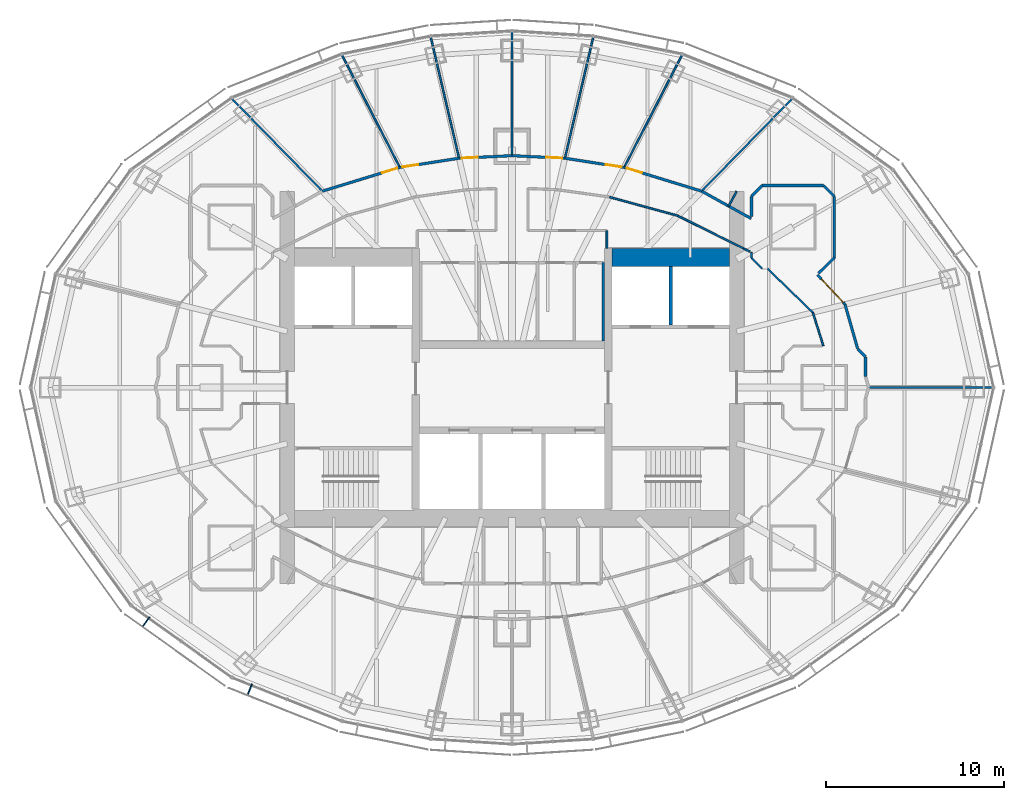
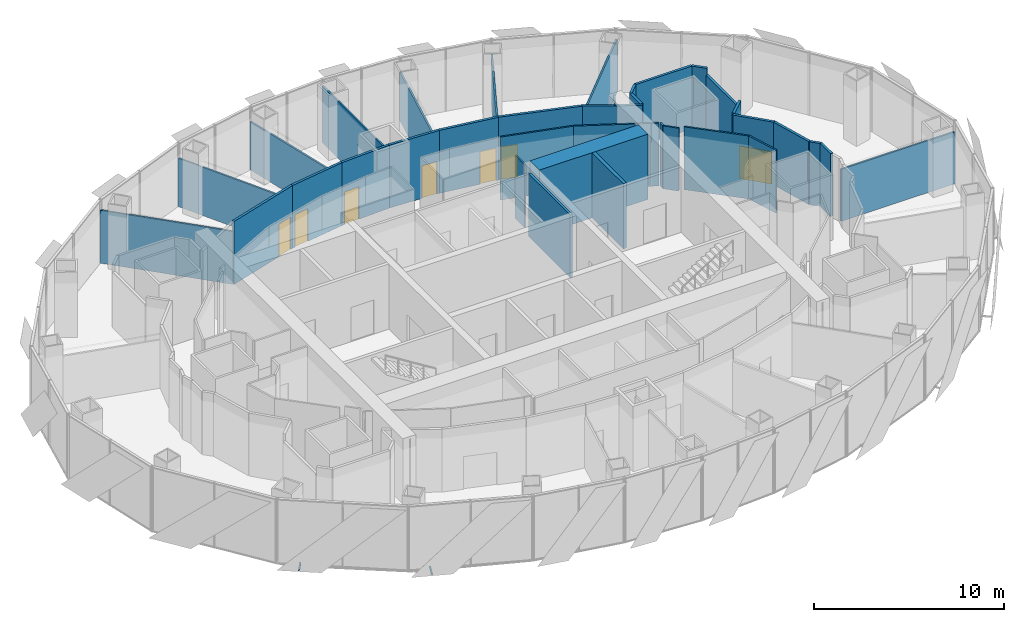
# One storey, part 15 of 19: 37 walls, 7 doors, 2 discrete accessories, 7 openings.
"""IFC4 building model written with IfcOpenShell, lengths in metres."""

from ifc_helpers import new_model, si_unit, direction, frame, frame_2d, origin, origin_2d, place, context, subcontext, project, spatial, rectangle, extrude, material, layer, layer_set, type_object, element, fill, save


model = new_model("IFC4")

# Units and contexts
model_context = context("Model", 3, precision=1e-05, world=origin(), true_north=direction((0.0, 1.0)))
body_context = subcontext(model_context, "Body", "Model", "MODEL_VIEW")
ifc_project = project(units=[si_unit("LENGTHUNIT", "METRE"), si_unit("AREAUNIT", "SQUARE_METRE"), si_unit("VOLUMEUNIT", "CUBIC_METRE"), si_unit("PLANEANGLEUNIT", "RADIAN"), si_unit("MASSUNIT", "GRAM", prefix="KILO")], contexts=[model_context])

# Site, building, storey
site_placement = place(None, origin())
site = spatial("IfcSite", under=ifc_project, at=site_placement, CompositionType="ELEMENT")
building_placement = place(site_placement, origin())
building = spatial("IfcBuilding", under=site, at=building_placement, Name="Lantaw Convention Tower", CompositionType="ELEMENT")
storey_placement = place(building_placement, frame((0.0, 0.0, 245.199951171875)))
storey = spatial("IfcBuildingStorey", under=building, at=storey_placement, Name="L57", CompositionType="ELEMENT", Elevation=245.199951171875)

# Wall
ifc_material_1 = material(Name="Concrete C60/75", Category="concrete")
ifc_layer_1 = layer(ifc_material_1, 1.0)
ifc_layer_set_1 = layer_set([ifc_layer_1], Name="Core wall 1000")
wall_type_1 = type_object("IfcWallType", Name="Core wall 1000", PredefinedType="SHEAR", material=ifc_layer_set_1)
wall_1_placement = place(storey_placement, frame((12.199951171875, 7.300048828125, 0.0), z_axis=(0.0, 0.0, 1.0), x_axis=(-1.0, 0.0, 0.0)))
element("IfcWall", 1, at=wall_1_placement, inside=storey, type_object=wall_type_1, Name="Core wall NE", PredefinedType="SHEAR", context=body_context, shape_type="SweptSolid", body=[
    extrude(rectangle(XDim=6.599853515625, YDim=1.0, at=frame_2d((3.2998046875, 0.0))), origin(), (0.0, 0.0, 1.0), 4.199951171875),
])

# Wall, opening, door
ifc_material_2 = material(Name="Gypsum board on steel studs, fire rated", Category="steel")
ifc_layer_2 = layer(ifc_material_2, 0.14990234375)
ifc_layer_set_2 = layer_set([ifc_layer_2], Name="Corridor wall 150 EI 60")
wall_type_2 = type_object("IfcWallType", Name="Corridor wall 150 EI 60", PredefinedType="PARTITIONING", material=ifc_layer_set_2)
wall_2_placement = place(storey_placement, frame((10.6328125, 11.010498046875, 0.0), z_axis=(0.0, 0.0, 1.0), x_axis=(-0.956185837153, 0.292760388079, 0.0)))
wall_2 = element("IfcWall", 2, at=wall_2_placement, inside=storey, type_object=wall_type_2, Name="Corridor wall 150", PredefinedType="PARTITIONING", context=body_context, shape_type="SweptSolid", body=[
    extrude(rectangle(XDim=4.5439453125, YDim=0.14990234375, at=frame_2d((2.27197265625, 0.0))), origin(), (0.0, 0.0, 1.0), 4.050048828125),
])
opening_1_placement = place(wall_2_placement, frame((3.493896484375, 0.0, 0.0)))
opening_1 = element("IfcOpeningElement", 3, at=opening_1_placement, cuts=wall_2, Name="Opening L57.31", PredefinedType="OPENING", context=body_context, shape_type="SweptSolid", body=[
    extrude(rectangle(XDim=0.89990234375, YDim=2.10009765625, at=frame_2d((0.449951171875, 1.050048828125))), frame((0.0, 0.0849609375, 0.0), z_axis=(0.0, -1.0, 0.0), x_axis=(1.0, 0.0, 0.0)), (0.0, 0.0, 1.0), 0.169921875),
])
ifc_material_3 = material(Name="Steel, fire rated", Category="steel")
door_type_1 = type_object("IfcDoorType", Name="Office door 900 FD30", OperationType="SINGLE_SWING_LEFT", PredefinedType="DOOR", material=ifc_material_3)
door_1_placement = place(opening_1_placement, origin())
door_1 = element("IfcDoor", 4, at=door_1_placement, inside=storey, type_object=door_type_1, Name="Private office door", OperationType="SINGLE_SWING_LEFT", OverallHeight=2.10009765625, OverallWidth=0.89990234375, PredefinedType="DOOR", context=body_context, shape_type="SweptSolid", body=[
    extrude(rectangle(XDim=0.89990234375, YDim=2.10009765625, at=frame_2d((0.449951171875, 1.050048828125))), frame((0.0, 0.02490234375, 0.0), z_axis=(0.0, -1.0, 0.0), x_axis=(1.0, 0.0, 0.0)), (0.0, 0.0, 1.0), 0.050048828125),
])
fill(opening_1, door_1)

wall_3_placement = place(storey_placement, frame((6.287841796875, 12.3408203125, 0.0), z_axis=(0.0, 0.0, 1.0), x_axis=(-0.988174283057, 0.153334882869, 0.0)))
wall_3 = element("IfcWall", 5, at=wall_3_placement, inside=storey, type_object=wall_type_2, Name="Corridor wall 150", PredefinedType="PARTITIONING", context=body_context, shape_type="SweptSolid", body=[
    extrude(rectangle(XDim=3.359619140625, YDim=0.14990234375, at=frame_2d((1.6796875, 0.0))), origin(), (0.0, 0.0, 1.0), 4.050048828125),
])
opening_2_placement = place(wall_3_placement, frame((0.14990234375, 0.0, 0.0)))
opening_2 = element("IfcOpeningElement", 6, at=opening_2_placement, cuts=wall_3, Name="Opening L57.32", PredefinedType="OPENING", context=body_context, shape_type="SweptSolid", body=[
    extrude(rectangle(XDim=0.89990234375, YDim=2.10009765625, at=frame_2d((0.449951171875, 1.050048828125))), frame((0.0, 0.0849609375, 0.0), z_axis=(0.0, -1.0, 0.0), x_axis=(1.0, 0.0, 0.0)), (0.0, 0.0, 1.0), 0.169921875),
])
door_2_placement = place(opening_2_placement, origin())
door_2 = element("IfcDoor", 7, at=door_2_placement, inside=storey, type_object=door_type_1, Name="Private office door", OperationType="SINGLE_SWING_LEFT", OverallHeight=2.10009765625, OverallWidth=0.89990234375, PredefinedType="DOOR", context=body_context, shape_type="SweptSolid", body=[
    extrude(rectangle(XDim=0.89990234375, YDim=2.10009765625, at=frame_2d((0.449951171875, 1.050048828125))), frame((0.0, 0.02490234375, 0.0), z_axis=(0.0, -1.0, 0.0), x_axis=(1.0, 0.0, 0.0)), (0.0, 0.0, 1.0), 0.050048828125),
])
fill(opening_2, door_2)

wall_4_placement = place(storey_placement, frame((2.968017578125, 12.85595703125, 0.0), z_axis=(0.0, 0.0, 1.0), x_axis=(-0.998824412818, 0.04847465687, 0.0)))
wall_4 = element("IfcWall", 8, at=wall_4_placement, inside=storey, type_object=wall_type_2, Name="Corridor wall 150", PredefinedType="PARTITIONING", context=body_context, shape_type="SweptSolid", body=[
    extrude(rectangle(XDim=2.971435546875, YDim=0.14990234375, at=frame_2d((1.48583984375, 0.0))), origin(), (0.0, 0.0, 1.0), 4.050048828125),
])
opening_3_placement = place(wall_4_placement, frame((0.14990234375, 0.0, 0.0)))
opening_3 = element("IfcOpeningElement", 9, at=opening_3_placement, cuts=wall_4, Name="Opening L57.33", PredefinedType="OPENING", context=body_context, shape_type="SweptSolid", body=[
    extrude(rectangle(XDim=0.89990234375, YDim=2.10009765625, at=frame_2d((0.449951171875, 1.050048828125))), frame((0.0, 0.0849609375, 0.0), z_axis=(0.0, -1.0, 0.0), x_axis=(1.0, 0.0, 0.0)), (0.0, 0.0, 1.0), 0.169921875),
])
door_3_placement = place(opening_3_placement, origin())
door_3 = element("IfcDoor", 10, at=door_3_placement, inside=storey, type_object=door_type_1, Name="Private office door", OperationType="SINGLE_SWING_LEFT", OverallHeight=2.10009765625, OverallWidth=0.89990234375, PredefinedType="DOOR", context=body_context, shape_type="SweptSolid", body=[
    extrude(rectangle(XDim=0.89990234375, YDim=2.10009765625, at=frame_2d((0.449951171875, 1.050048828125))), frame((0.0, 0.02490234375, 0.0), z_axis=(0.0, -1.0, 0.0), x_axis=(1.0, 0.0, 0.0)), (0.0, 0.0, 1.0), 0.050048828125),
])
fill(opening_3, door_3)

wall_5_placement = place(storey_placement, frame((0.0, 13.0, 0.0), z_axis=(0.0, 0.0, 1.0), x_axis=(-0.998824412818, -0.04847465687, 0.0)))
wall_5 = element("IfcWall", 11, at=wall_5_placement, inside=storey, type_object=wall_type_2, Name="Corridor wall 150", PredefinedType="PARTITIONING", context=body_context, shape_type="SweptSolid", body=[
    extrude(rectangle(XDim=2.971435546875, YDim=0.14990234375, at=frame_2d((1.48583984375, 0.0))), origin(), (0.0, 0.0, 1.0), 4.050048828125),
])
opening_4_placement = place(wall_5_placement, frame((1.92138671875, 0.0, 0.0)))
opening_4 = element("IfcOpeningElement", 12, at=opening_4_placement, cuts=wall_5, Name="Opening L57.34", PredefinedType="OPENING", context=body_context, shape_type="SweptSolid", body=[
    extrude(rectangle(XDim=0.89990234375, YDim=2.10009765625, at=frame_2d((0.449951171875, 1.050048828125))), frame((0.0, 0.0849609375, 0.0), z_axis=(0.0, -1.0, 0.0), x_axis=(1.0, 0.0, 0.0)), (0.0, 0.0, 1.0), 0.169921875),
])
door_4_placement = place(opening_4_placement, origin())
door_4 = element("IfcDoor", 13, at=door_4_placement, inside=storey, type_object=door_type_1, Name="Private office door", OperationType="SINGLE_SWING_LEFT", OverallHeight=2.10009765625, OverallWidth=0.89990234375, PredefinedType="DOOR", context=body_context, shape_type="SweptSolid", body=[
    extrude(rectangle(XDim=0.89990234375, YDim=2.10009765625, at=frame_2d((0.449951171875, 1.050048828125))), frame((0.0, 0.02490234375, 0.0), z_axis=(0.0, -1.0, 0.0), x_axis=(1.0, 0.0, 0.0)), (0.0, 0.0, 1.0), 0.050048828125),
])
fill(opening_4, door_4)

wall_6_placement = place(storey_placement, frame((-2.968017578125, 12.85595703125, 0.0), z_axis=(0.0, 0.0, 1.0), x_axis=(-0.988174283057, -0.153334882869, 0.0)))
wall_6 = element("IfcWall", 14, at=wall_6_placement, inside=storey, type_object=wall_type_2, Name="Corridor wall 150", PredefinedType="PARTITIONING", context=body_context, shape_type="SweptSolid", body=[
    extrude(rectangle(XDim=3.359619140625, YDim=0.14990234375, at=frame_2d((1.6796875, 0.0))), origin(), (0.0, 0.0, 1.0), 4.050048828125),
])
opening_5_placement = place(wall_6_placement, frame((2.3095703125, 0.0, 0.0)))
opening_5 = element("IfcOpeningElement", 15, at=opening_5_placement, cuts=wall_6, Name="Opening L57.35", PredefinedType="OPENING", context=body_context, shape_type="SweptSolid", body=[
    extrude(rectangle(XDim=0.89990234375, YDim=2.10009765625, at=frame_2d((0.449951171875, 1.050048828125))), frame((0.0, 0.0849609375, 0.0), z_axis=(0.0, -1.0, 0.0), x_axis=(1.0, 0.0, 0.0)), (0.0, 0.0, 1.0), 0.169921875),
])
door_5_placement = place(opening_5_placement, origin())
door_5 = element("IfcDoor", 16, at=door_5_placement, inside=storey, type_object=door_type_1, Name="Private office door", OperationType="SINGLE_SWING_LEFT", OverallHeight=2.10009765625, OverallWidth=0.89990234375, PredefinedType="DOOR", context=body_context, shape_type="SweptSolid", body=[
    extrude(rectangle(XDim=0.89990234375, YDim=2.10009765625, at=frame_2d((0.449951171875, 1.050048828125))), frame((0.0, 0.02490234375, 0.0), z_axis=(0.0, -1.0, 0.0), x_axis=(1.0, 0.0, 0.0)), (0.0, 0.0, 1.0), 0.050048828125),
])
fill(opening_5, door_5)

wall_7_placement = place(storey_placement, frame((-6.287841796875, 12.3408203125, 0.0), z_axis=(0.0, 0.0, 1.0), x_axis=(-0.956185837153, -0.292760388079, 0.0)))
wall_7 = element("IfcWall", 17, at=wall_7_placement, inside=storey, type_object=wall_type_2, Name="Corridor wall 150", PredefinedType="PARTITIONING", context=body_context, shape_type="SweptSolid", body=[
    extrude(rectangle(XDim=4.5439453125, YDim=0.14990234375, at=frame_2d((2.27197265625, 0.0))), origin(), (0.0, 0.0, 1.0), 4.050048828125),
])
opening_6_placement = place(wall_7_placement, frame((0.14990234375, 0.0, 0.0)))
opening_6 = element("IfcOpeningElement", 18, at=opening_6_placement, cuts=wall_7, Name="Opening L57.36", PredefinedType="OPENING", context=body_context, shape_type="SweptSolid", body=[
    extrude(rectangle(XDim=0.89990234375, YDim=2.10009765625, at=frame_2d((0.449951171875, 1.050048828125))), frame((0.0, 0.0849609375, 0.0), z_axis=(0.0, -1.0, 0.0), x_axis=(1.0, 0.0, 0.0)), (0.0, 0.0, 1.0), 0.169921875),
])
door_6_placement = place(opening_6_placement, origin())
door_6 = element("IfcDoor", 19, at=door_6_placement, inside=storey, type_object=door_type_1, Name="Private office door", OperationType="SINGLE_SWING_LEFT", OverallHeight=2.10009765625, OverallWidth=0.89990234375, PredefinedType="DOOR", context=body_context, shape_type="SweptSolid", body=[
    extrude(rectangle(XDim=0.89990234375, YDim=2.10009765625, at=frame_2d((0.449951171875, 1.050048828125))), frame((0.0, 0.02490234375, 0.0), z_axis=(0.0, -1.0, 0.0), x_axis=(1.0, 0.0, 0.0)), (0.0, 0.0, 1.0), 0.050048828125),
])
fill(opening_6, door_6)

wall_8_placement = place(storey_placement, frame((18.67333984375, 4.65576171875, 0.0), z_axis=(0.0, 0.0, 1.0), x_axis=(-0.680985069419, 0.732297299755, 0.0)))
wall_8 = element("IfcWall", 20, at=wall_8_placement, inside=storey, type_object=wall_type_2, Name="Corridor wall 150", PredefinedType="PARTITIONING", context=body_context, shape_type="SweptSolid", body=[
    extrude(rectangle(XDim=2.279052734375, YDim=0.14990234375, at=frame_2d((1.1396484375, 0.0))), origin(), (0.0, 0.0, 1.0), 4.050048828125),
])
opening_7_placement = place(wall_8_placement, frame((0.14990234375, 0.0, 0.0)))
opening_7 = element("IfcOpeningElement", 21, at=opening_7_placement, cuts=wall_8, Name="Opening L57.30", PredefinedType="OPENING", context=body_context, shape_type="SweptSolid", body=[
    extrude(rectangle(XDim=1.800048828125, YDim=2.10009765625, at=frame_2d((0.89990234375, 1.050048828125))), frame((0.0, 0.0849609375, 0.0), z_axis=(0.0, -1.0, 0.0), x_axis=(1.0, 0.0, 0.0)), (0.0, 0.0, 1.0), 0.169921875),
])
door_type_2 = type_object("IfcDoorType", Name="Office double door 1800 FD30", OperationType="DOUBLE_DOOR_DOUBLE_SWING", PredefinedType="DOOR", material=ifc_material_3)
door_7_placement = place(opening_7_placement, origin())
door_7 = element("IfcDoor", 22, at=door_7_placement, inside=storey, type_object=door_type_2, Name="Reception door", OperationType="DOUBLE_DOOR_DOUBLE_SWING", OverallHeight=2.10009765625, OverallWidth=1.800048828125, PredefinedType="DOOR", context=body_context, shape_type="SweptSolid", body=[
    extrude(rectangle(XDim=1.800048828125, YDim=2.10009765625, at=frame_2d((0.89990234375, 1.050048828125))), frame((0.0, 0.02490234375, 0.0), z_axis=(0.0, -1.0, 0.0), x_axis=(1.0, 0.0, 0.0)), (0.0, 0.0, 1.0), 0.050048828125),
])
fill(opening_7, door_7)

# Walls
wall_9_placement = place(storey_placement, frame((13.4150390625, 9.4716796875, 0.0), z_axis=(0.0, 0.0, 1.0), x_axis=(-0.875072100837, 0.483992580869, 0.0)))
element("IfcWall", 23, at=wall_9_placement, inside=storey, type_object=wall_type_2, Name="Corridor wall 150", PredefinedType="PARTITIONING", context=body_context, shape_type="SweptSolid", body=[
    extrude(rectangle(XDim=3.179443359375, YDim=0.14990234375, at=frame_2d((1.58984375, 0.0))), origin(), (0.0, 0.0, 1.0), 4.050048828125),
])
wall_10_placement = place(storey_placement, frame((13.425048828125, 9.586181640625, 0.0), z_axis=(0.0, 0.0, 1.0), x_axis=(0.0, 1.0, 0.0)))
element("IfcWall", 24, at=wall_10_placement, inside=storey, type_object=wall_type_2, Name="Corridor wall 150", PredefinedType="PARTITIONING", context=body_context, shape_type="SweptSolid", body=[
    extrude(rectangle(XDim=1.138427734375, YDim=0.14990234375, at=frame_2d((0.5693359375, 0.0))), origin(), (0.0, 0.0, 1.0), 4.050048828125),
])
wall_11_placement = place(storey_placement, frame((13.425048828125, 10.724609375, 0.0), z_axis=(0.0, 0.0, 1.0), x_axis=(0.707106781187, 0.707106781187, 0.0)))
element("IfcWall", 25, at=wall_11_placement, inside=storey, type_object=wall_type_2, Name="Corridor wall 150", PredefinedType="PARTITIONING", context=body_context, shape_type="SweptSolid", body=[
    extrude(rectangle(XDim=0.84912109375, YDim=0.14990234375, at=frame_2d((0.424560546875, 0.0))), origin(), (0.0, 0.0, 1.0), 4.050048828125),
])
wall_12_placement = place(storey_placement, frame((14.025390625, 11.324951171875, 0.0), z_axis=(0.0, 0.0, 1.0), x_axis=(1.0, 0.0, 0.0)))
element("IfcWall", 26, at=wall_12_placement, inside=storey, type_object=wall_type_2, Name="Corridor wall 150", PredefinedType="PARTITIONING", context=body_context, shape_type="SweptSolid", body=[
    extrude(rectangle(XDim=3.44921875, YDim=0.14990234375, at=frame_2d((1.724609375, 0.0))), origin(), (0.0, 0.0, 1.0), 4.050048828125),
])
wall_13_placement = place(storey_placement, frame((17.474609375, 11.324951171875, 0.0), z_axis=(0.0, 0.0, 1.0), x_axis=(0.707106781187, -0.707106781187, 0.0)))
element("IfcWall", 27, at=wall_13_placement, inside=storey, type_object=wall_type_2, Name="Corridor wall 150", PredefinedType="PARTITIONING", context=body_context, shape_type="SweptSolid", body=[
    extrude(rectangle(XDim=0.84912109375, YDim=0.14990234375, at=frame_2d((0.424560546875, 0.0))), origin(), (0.0, 0.0, 1.0), 4.050048828125),
])
wall_14_placement = place(storey_placement, frame((18.074951171875, 10.724609375, 0.0), z_axis=(0.0, 0.0, 1.0), x_axis=(0.0, -1.0, 0.0)))
element("IfcWall", 28, at=wall_14_placement, inside=storey, type_object=wall_type_2, Name="Corridor wall 150", PredefinedType="PARTITIONING", context=body_context, shape_type="SweptSolid", body=[
    extrude(rectangle(XDim=3.44921875, YDim=0.14990234375, at=frame_2d((1.724609375, 0.0))), origin(), (0.0, 0.0, 1.0), 3.6005859375),
])
wall_15_placement = place(storey_placement, frame((18.074951171875, 7.275390625, 0.0), z_axis=(0.0, 0.0, 1.0), x_axis=(-0.713842064016, -0.700306723973, 0.0)))
element("IfcWall", 29, at=wall_15_placement, inside=storey, type_object=wall_type_2, Name="Corridor wall 150", PredefinedType="PARTITIONING", context=body_context, shape_type="SweptSolid", body=[
    extrude(rectangle(XDim=1.24462890625, YDim=0.14990234375, at=frame_2d((0.622314453125, 0.0))), origin(), (0.0, 0.0, 1.0), 4.050048828125),
])
wall_16_placement = place(storey_placement, frame((19.376953125, 2.186767578125, 0.0), z_axis=(0.0, 0.0, 1.0), x_axis=(-0.274067949327, 0.961710330168, 0.0)))
element("IfcWall", 30, at=wall_16_placement, inside=storey, type_object=wall_type_2, Name="Corridor wall 150", PredefinedType="PARTITIONING", context=body_context, shape_type="SweptSolid", body=[
    extrude(rectangle(XDim=2.5673828125, YDim=0.14990234375, at=frame_2d((1.28369140625, 0.0))), origin(), (0.0, 0.0, 1.0), 4.050048828125),
])
wall_17_placement = place(storey_placement, frame((19.39013671875, 2.159423828125, 0.0), z_axis=(0.0, 0.0, 1.0), x_axis=(0.707106781187, -0.707106781187, 0.0)))
element("IfcWall", 31, at=wall_17_placement, inside=storey, type_object=wall_type_2, Name="Corridor wall 150", PredefinedType="PARTITIONING", context=body_context, shape_type="SweptSolid", body=[
    extrude(rectangle(XDim=0.614990234375, YDim=0.14990234375, at=frame_2d((0.3076171875, 0.0))), origin(), (0.0, 0.0, 1.0), 4.050048828125),
])
wall_18_placement = place(storey_placement, frame((19.824951171875, 1.724609375, 0.0), z_axis=(0.0, 0.0, 1.0), x_axis=(0.0, -1.0, 0.0)))
element("IfcWall", 32, at=wall_18_placement, inside=storey, type_object=wall_type_2, Name="Corridor wall 150", PredefinedType="PARTITIONING", context=body_context, shape_type="SweptSolid", body=[
    extrude(rectangle(XDim=1.1171875, YDim=0.14990234375, at=frame_2d((0.55859375, 0.0))), origin(), (0.0, 0.0, 1.0), 4.050048828125),
])
ifc_material_4 = material(Name="Gypsum board on steel studs, acoustic", Category="steel")
ifc_layer_3 = layer(ifc_material_4, 0.10009765625)
ifc_layer_set_3 = layer_set([ifc_layer_3], Name="Office partition 100")
wall_type_3 = type_object("IfcWallType", Name="Office partition 100", PredefinedType="PARTITIONING", material=ifc_layer_set_3)
wall_19_placement = place(storey_placement, frame((26.944091796875, 0.0, 0.0), z_axis=(0.0, 0.0, 1.0), x_axis=(-1.0, 0.0, 0.0)))
element("IfcWall", 33, at=wall_19_placement, inside=storey, type_object=wall_type_3, Name="Office partition 100", PredefinedType="PARTITIONING", context=body_context, shape_type="SweptSolid", body=[
    extrude(rectangle(XDim=6.944091796875, YDim=0.10009765625, at=frame_2d((3.47216796875, 0.0))), origin(), (0.0, 0.0, 1.0), 3.34912109375),
])
wall_20_placement = place(storey_placement, frame((15.709228515625, 16.19873046875, 0.0), z_axis=(0.0, 0.0, 1.0), x_axis=(-0.699362525935, -0.714767135029, 0.0)))
element("IfcWall", 34, at=wall_20_placement, inside=storey, type_object=wall_type_3, Name="Office partition 100", PredefinedType="PARTITIONING", context=body_context, shape_type="SweptSolid", body=[
    extrude(rectangle(XDim=7.258544921875, YDim=0.10009765625, at=frame_2d((3.62939453125, 0.0))), origin(), (0.0, 0.0, 1.0), 3.409912109375),
])
wall_21_placement = place(storey_placement, frame((9.53955078125, 18.650390625, 0.0), z_axis=(0.0, 0.0, 1.0), x_axis=(-0.45810402165, -0.88889859115, 0.0)))
element("IfcWall", 35, at=wall_21_placement, inside=storey, type_object=wall_type_3, Name="Office partition 100", PredefinedType="PARTITIONING", context=body_context, shape_type="SweptSolid", body=[
    extrude(rectangle(XDim=7.09814453125, YDim=0.10009765625, at=frame_2d((3.549072265625, 0.0))), origin(), (0.0, 0.0, 1.0), 3.107666015625),
])
wall_22_placement = place(storey_placement, frame((4.5556640625, 19.65673828125, 0.0), z_axis=(0.0, 0.0, 1.0), x_axis=(-0.22733791689, -0.973815933092, 0.0)))
element("IfcWall", 36, at=wall_22_placement, inside=storey, type_object=wall_type_3, Name="Office partition 100", PredefinedType="PARTITIONING", context=body_context, shape_type="SweptSolid", body=[
    extrude(rectangle(XDim=6.983642578125, YDim=0.10009765625, at=frame_2d((3.49169921875, 0.0))), origin(), (0.0, 0.0, 1.0), 3.107666015625),
])
wall_23_placement = place(storey_placement, frame((0.0, 19.94482421875, 0.0), z_axis=(0.0, 0.0, 1.0), x_axis=(0.0, -1.0, 0.0)))
element("IfcWall", 37, at=wall_23_placement, inside=storey, type_object=wall_type_3, Name="Office partition 100", PredefinedType="PARTITIONING", context=body_context, shape_type="SweptSolid", body=[
    extrude(rectangle(XDim=6.94482421875, YDim=0.10009765625, at=frame_2d((3.472412109375, 0.0))), origin(), (0.0, 0.0, 1.0), 3.6435546875),
])
wall_24_placement = place(storey_placement, frame((-4.5556640625, 19.65673828125, 0.0), z_axis=(0.0, 0.0, 1.0), x_axis=(0.22733791689, -0.973815933092, 0.0)))
element("IfcWall", 38, at=wall_24_placement, inside=storey, type_object=wall_type_3, Name="Office partition 100", PredefinedType="PARTITIONING", context=body_context, shape_type="SweptSolid", body=[
    extrude(rectangle(XDim=6.983642578125, YDim=0.10009765625, at=frame_2d((3.49169921875, 0.0))), origin(), (0.0, 0.0, 1.0), 3.107666015625),
])
wall_25_placement = place(storey_placement, frame((-9.53955078125, 18.650390625, 0.0), z_axis=(0.0, 0.0, 1.0), x_axis=(0.45810402165, -0.88889859115, 0.0)))
element("IfcWall", 39, at=wall_25_placement, inside=storey, type_object=wall_type_3, Name="Office partition 100", PredefinedType="PARTITIONING", context=body_context, shape_type="SweptSolid", body=[
    extrude(rectangle(XDim=7.09814453125, YDim=0.10009765625, at=frame_2d((3.549072265625, 0.0))), origin(), (0.0, 0.0, 1.0), 3.107666015625),
])
wall_26_placement = place(storey_placement, frame((-15.709228515625, 16.19873046875, 0.0), z_axis=(0.0, 0.0, 1.0), x_axis=(0.699362525935, -0.714767135029, 0.0)))
element("IfcWall", 40, at=wall_26_placement, inside=storey, type_object=wall_type_3, Name="Office partition 100", PredefinedType="PARTITIONING", context=body_context, shape_type="SweptSolid", body=[
    extrude(rectangle(XDim=7.258544921875, YDim=0.10009765625, at=frame_2d((3.62939453125, 0.0))), origin(), (0.0, 0.0, 1.0), 3.409912109375),
])
wall_27_placement = place(storey_placement, frame((13.0, 7.788330078125, 0.0), z_axis=(0.0, 0.0, 1.0), x_axis=(0.895721570004, -0.444615416995, 0.0)))
element("IfcWall", 41, at=wall_27_placement, inside=storey, type_object=wall_type_3, Name="Office partition 100", PredefinedType="PARTITIONING", context=body_context, shape_type="SweptSolid", body=[
    extrude(rectangle(XDim=0.376220703125, YDim=0.10009765625, at=frame_2d((0.18798828125, 0.0))), origin(), (0.0, 0.0, 1.0), 4.050048828125),
])
wall_28_placement = place(storey_placement, frame((5.320068359375, 7.800048828125, 0.0), z_axis=(0.0, 0.0, 1.0), x_axis=(0.0, 1.0, 0.0)))
element("IfcWall", 42, at=wall_28_placement, inside=storey, type_object=wall_type_3, Name="Office partition 100", PredefinedType="PARTITIONING", context=body_context, shape_type="SweptSolid", body=[
    extrude(rectangle(XDim=1.0, YDim=0.10009765625, at=frame_2d((0.5, 0.0))), origin(), (0.0, 0.0, 1.0), 4.050048828125),
])
wall_29_placement = place(storey_placement, frame((5.4453125, 10.68701171875, 0.0), z_axis=(0.0, 0.0, 1.0), x_axis=(0.964244438722, -0.265014456954, 0.0)))
element("IfcWall", 43, at=wall_29_placement, inside=storey, type_object=wall_type_3, Name="Office partition 100", PredefinedType="PARTITIONING", context=body_context, shape_type="SweptSolid", body=[
    extrude(rectangle(XDim=3.995361328125, YDim=0.10009765625, at=frame_2d((1.99755859375, 0.0))), origin(), (0.0, 0.0, 1.0), 4.050048828125),
])
wall_30_placement = place(storey_placement, frame((9.2978515625, 9.628173828125, 0.0), z_axis=(0.0, 0.0, 1.0), x_axis=(0.895529831139, -0.445001484874, 0.0)))
element("IfcWall", 44, at=wall_30_placement, inside=storey, type_object=wall_type_3, Name="Office partition 100", PredefinedType="PARTITIONING", context=body_context, shape_type="SweptSolid", body=[
    extrude(rectangle(XDim=4.108154296875, YDim=0.10009765625, at=frame_2d((2.05419921875, 0.0))), origin(), (0.0, 0.0, 1.0), 4.050048828125),
])
wall_31_placement = place(storey_placement, frame((12.60009765625, 11.0, 0.0), z_axis=(0.0, 0.0, 1.0), x_axis=(-0.484103558985, -0.875010710893, 0.0)))
element("IfcWall", 45, at=wall_31_placement, inside=storey, type_object=wall_type_3, Name="Office partition 100", PredefinedType="PARTITIONING", context=body_context, shape_type="SweptSolid", body=[
    extrude(rectangle(XDim=0.943115234375, YDim=0.10009765625, at=frame_2d((0.4716796875, 0.0))), origin(), (0.0, 0.0, 1.0), 4.050048828125),
])
wall_32_placement = place(storey_placement, frame((14.325439453125, 6.6650390625, 0.0), z_axis=(0.0, 0.0, 1.0), x_axis=(0.718810161381, -0.695206409562, 0.0)))
element("IfcWall", 46, at=wall_32_placement, inside=storey, type_object=wall_type_3, Name="Office partition 100", PredefinedType="PARTITIONING", context=body_context, shape_type="SweptSolid", body=[
    extrude(rectangle(XDim=3.537353515625, YDim=0.10009765625, at=frame_2d((1.7685546875, 0.0))), origin(), (0.0, 0.0, 1.0), 4.050048828125),
])
wall_33_placement = place(storey_placement, frame((14.025390625, 6.675048828125, 0.0), z_axis=(0.0, 0.0, 1.0), x_axis=(-0.707106781187, 0.707106781187, 0.0)))
element("IfcWall", 47, at=wall_33_placement, inside=storey, type_object=wall_type_3, Name="Office partition 100", PredefinedType="PARTITIONING", context=body_context, shape_type="SweptSolid", body=[
    extrude(rectangle(XDim=0.84912109375, YDim=0.10009765625, at=frame_2d((0.424560546875, 0.0))), origin(), (0.0, 0.0, 1.0), 4.050048828125),
])
wall_34_placement = place(storey_placement, frame((13.425048828125, 7.275390625, 0.0), z_axis=(0.0, 0.0, 1.0), x_axis=(0.0, 1.0, 0.0)))
element("IfcWall", 48, at=wall_34_placement, inside=storey, type_object=wall_type_3, Name="Office partition 100", PredefinedType="PARTITIONING", context=body_context, shape_type="SweptSolid", body=[
    extrude(rectangle(XDim=0.30224609375, YDim=0.10009765625, at=frame_2d((0.151123046875, 0.0))), origin(), (0.0, 0.0, 1.0), 4.050048828125),
])
wall_35_placement = place(storey_placement, frame((16.8681640625, 4.205810546875, 0.0), z_axis=(0.0, 0.0, 1.0), x_axis=(0.301821975729, -0.953364303384, 0.0)))
element("IfcWall", 49, at=wall_35_placement, inside=storey, type_object=wall_type_3, Name="Office partition 100", PredefinedType="PARTITIONING", context=body_context, shape_type="SweptSolid", body=[
    extrude(rectangle(XDim=1.96240234375, YDim=0.10009765625, at=frame_2d((0.981201171875, 0.0))), origin(), (0.0, 0.0, 1.0), 4.050048828125),
])
ifc_material_5 = material(Name="Concrete blockwork, fire rated", Category="masonry")
ifc_layer_4 = layer(ifc_material_5, 0.199951171875)
ifc_layer_set_4 = layer_set([ifc_layer_4], Name="Shaft wall 200")
wall_type_4 = type_object("IfcWallType", Name="Shaft wall 200", PredefinedType="SOLIDWALL", material=ifc_layer_set_4)
wall_36_placement = place(storey_placement, frame((8.89990234375, 3.5, 0.0), z_axis=(0.0, 0.0, 1.0), x_axis=(0.0, 1.0, 0.0)))
element("IfcWall", 50, at=wall_36_placement, inside=storey, type_object=wall_type_4, Name="Shaft wall ED", PredefinedType="SOLIDWALL", context=body_context, shape_type="SweptSolid", body=[
    extrude(rectangle(XDim=3.300048828125, YDim=0.199951171875, at=frame_2d((1.64990234375, 0.0))), origin(), (0.0, 0.0, 1.0), 4.199951171875),
])
ifc_material_6 = material(Name="Concrete blockwork", Category="masonry")
ifc_layer_5 = layer(ifc_material_6, 0.14990234375)
ifc_layer_set_5 = layer_set([ifc_layer_5], Name="WC wall 150")
wall_type_5 = type_object("IfcWallType", Name="WC wall 150", PredefinedType="SOLIDWALL", material=ifc_layer_set_5)
wall_37_placement = place(storey_placement, frame((5.1201171875, 2.60009765625, 0.0), z_axis=(0.0, 0.0, 1.0), x_axis=(0.0, 1.0, 0.0)))
element("IfcWall", 51, at=wall_37_placement, inside=storey, type_object=wall_type_5, Name="WC wall 150", PredefinedType="SOLIDWALL", context=body_context, shape_type="SweptSolid", body=[
    extrude(rectangle(XDim=4.39990234375, YDim=0.14990234375, at=frame_2d((2.199951171875, 0.0))), origin(), (0.0, 0.0, 1.0), 4.050048828125),
])

# Discrete accessories
for number, where, z_axis, x_axis, name in (
    (52, (-20.524169921875, -13.14453125, -0.114990234375), (0.0, 0.0, 1.0), (0.813672540482, -0.581323487281, 0.0), "Screen bracket"),
    (53, (-14.707763671875, -16.94140625, -0.114990234375), (0.0, 0.0, 1.0), (0.929761533743, -0.368162315252, 0.0), "Screen bracket"),
):
    element("IfcDiscreteAccessory", number, at=place(storey_placement, frame(where, z_axis=z_axis, x_axis=x_axis)), inside=storey, Name=name, PredefinedType="BRACKET", context=body_context, shape_type="SweptSolid", body=[
        extrude(rectangle(XDim=0.080078125, YDim=0.68798828125, at=origin_2d()), origin(), (0.0, 0.0, 1.0), 0.080078125),
    ])

save(model, "model.ifc")
